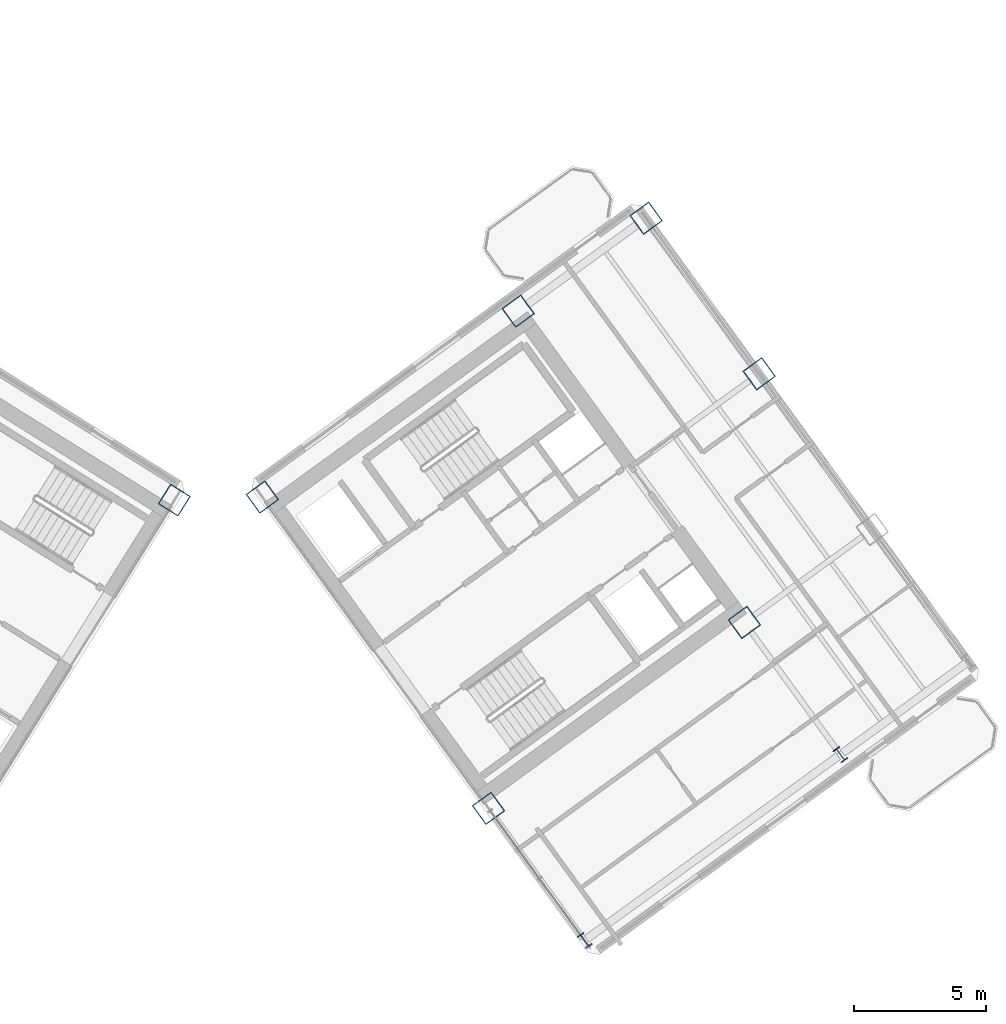
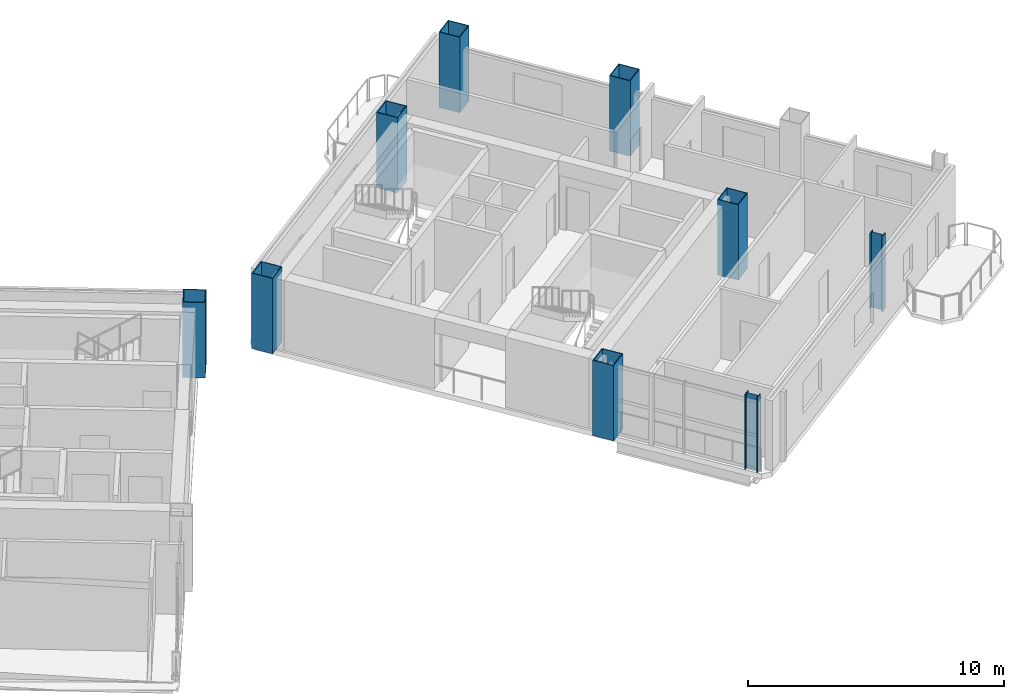
# One storey, part 2 of 19: 9 columns.
"""IFC4 building model written with IfcOpenShell, lengths in metres."""

from ifc_helpers import new_model, si_unit, direction, frame, origin, origin_2d, place, context, subcontext, project, spatial, hollow_rectangle, i_section, extrude, source, transform, mapped, material, material_profile, profile_set, type_object, element, save


model = new_model("IFC4")

# Units and contexts
model_context = context("Model", 3, precision=1e-05, world=origin(), true_north=direction((0.0, 1.0)))
body_context = subcontext(model_context, "Body", "Model", "MODEL_VIEW")
ifc_project = project(units=[si_unit("LENGTHUNIT", "METRE"), si_unit("AREAUNIT", "SQUARE_METRE"), si_unit("VOLUMEUNIT", "CUBIC_METRE"), si_unit("PLANEANGLEUNIT", "RADIAN"), si_unit("MASSUNIT", "GRAM", prefix="KILO")], contexts=[model_context])

# Site, building, storey
site_placement = place(None, origin())
site = spatial("IfcSite", under=ifc_project, at=site_placement, CompositionType="ELEMENT")
building_placement = place(site_placement, origin())
building = spatial("IfcBuilding", under=site, at=building_placement, Name="Tlacorven Tower", CompositionType="ELEMENT")
storey_placement = place(building_placement, frame((0.0, 0.0, 144.300048828125)))
storey = spatial("IfcBuildingStorey", under=building, at=storey_placement, Name="L36", CompositionType="ELEMENT", Elevation=144.300048828125)

# Columns
ifc_material = material(Name="Steel S460M", Category="steel")
ifc_material_profile_1 = material_profile(ifc_material, hollow_rectangle(XDim=0.89990234375, YDim=0.89990234375, WallThickness=0.035888671875, at=origin_2d()), Name="BOX 900X900X36")
ifc_profile_set_1 = profile_set([ifc_material_profile_1], Name="Steel S460M")
column_type_1 = type_object("IfcColumnType", Name="COL-TWR-S2", PredefinedType="COLUMN", material=ifc_profile_set_1)
shared_shape_1 = source(origin(), body_context, "Body", "SweptSolid", [
    extrude(hollow_rectangle(XDim=0.89990234375, YDim=0.89990234375, WallThickness=0.035888671875, at=origin_2d()), origin(), (0.0, 0.0, 1.0), 3.599853515625),
])
for number, where, z_axis, x_axis, name in (
    (1, (40.782958984375, 24.468505859375, 0.0), (0.0, 0.0, 1.0), (-0.848048096156, 0.529919264233, 0.0), "L36 column COL-L36-W1-1"),
    (2, (52.705322265625, 12.7734375, 0.0), (0.0, 0.0, 1.0), (0.809016994375, 0.587785252292, 0.0), "L36 column COL-L36-E1-2"),
    (3, (44.123779296875, 24.5849609375, 0.0), (0.0, 0.0, 1.0), (0.809016994375, 0.587785252292, 0.0), "L36 column COL-L36-E1-4"),
    (4, (62.41357421875, 19.826904296875, 0.0), (0.0, 0.0, 1.0), (0.809016994375, 0.587785252292, 0.0), "L36 column COL-L36-E3-2"),
    (5, (53.83203125, 31.638427734375, 0.0), (0.0, 0.0, 1.0), (0.809016994375, 0.587785252292, 0.0), "L36 column COL-L36-E3-4"),
    (6, (62.976806640625, 29.25927734375, 0.0), (0.0, 0.0, 1.0), (0.809016994375, 0.587785252292, 0.0), "L36 column COL-L36-E4-3"),
    (7, (58.68603515625, 35.165283203125, 0.0), (0.0, 0.0, 1.0), (0.809016994375, 0.587785252292, 0.0), "L36 column COL-L36-E4-4"),
):
    element("IfcColumn", number, at=place(storey_placement, frame(where, z_axis=z_axis, x_axis=x_axis)), inside=storey, type_object=column_type_1, Name=name, PredefinedType="COLUMN", context=body_context, shape_type="MappedRepresentation", body=[
        mapped(shared_shape_1, transform((0.0, 0.0, 0.0), scale=1.0)),
    ])
ifc_material_profile_2 = material_profile(ifc_material, i_section(OverallWidth=0.300048828125, OverallDepth=0.550048828125, WebThickness=0.014892578125, FlangeThickness=0.029052734375, at=origin_2d()), Name="HEB 550")
ifc_profile_set_2 = profile_set([ifc_material_profile_2], Name="Steel S460M")
column_type_2 = type_object("IfcColumnType", Name="COL-TWR-P2", PredefinedType="COLUMN", material=ifc_profile_set_2)
shared_shape_2 = source(origin(), body_context, "Body", "SweptSolid", [
    extrude(i_section(OverallWidth=0.300048828125, OverallDepth=0.550048828125, WebThickness=0.014892578125, FlangeThickness=0.029052734375, at=origin_2d()), origin(), (0.0, 0.0, 1.0), 3.599853515625),
])
for number, where, z_axis, x_axis, name in (
    (8, (56.349609375, 7.757568359375, 0.0), (0.0, 0.0, 1.0), (0.809016994375, 0.587785252292, 0.0), "L36 column COL-L36-E1-1"),
    (9, (66.057861328125, 14.81103515625, 0.0), (0.0, 0.0, 1.0), (0.809016994375, 0.587785252292, 0.0), "L36 column COL-L36-E3-1"),
):
    element("IfcColumn", number, at=place(storey_placement, frame(where, z_axis=z_axis, x_axis=x_axis)), inside=storey, type_object=column_type_2, Name=name, PredefinedType="COLUMN", context=body_context, shape_type="MappedRepresentation", body=[
        mapped(shared_shape_2, transform((0.0, 0.0, 0.0), scale=1.0)),
    ])

save(model, "model.ifc")
